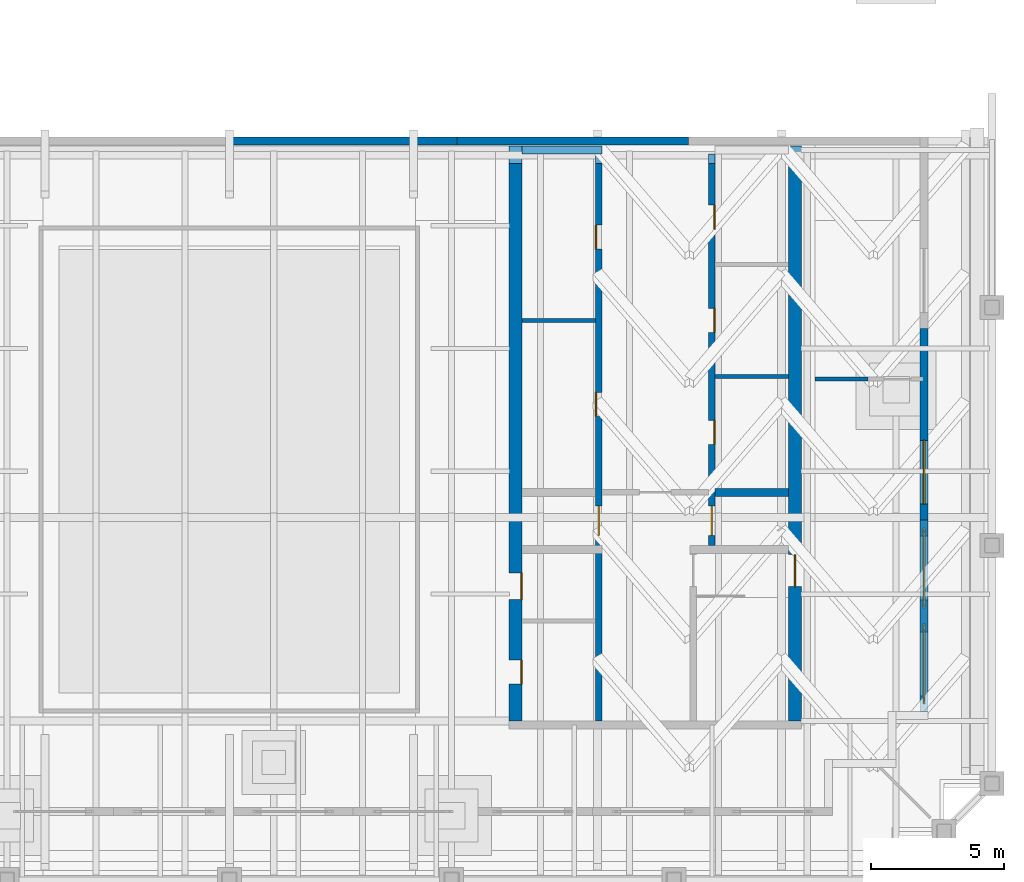
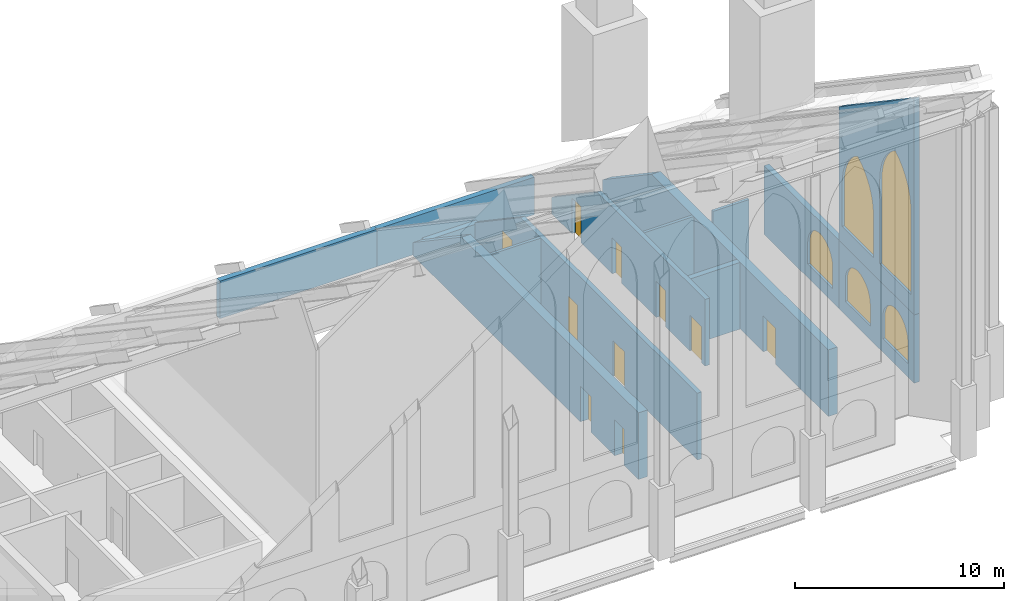
# One storey, part 7 of 9: 14 walls, 10 doors, 5 windows, 15 openings.
"""IFC4 building model written with IfcOpenShell, lengths in metres."""

from ifc_helpers import new_model, si_unit, direction, frame, frame_2d, origin, place, context, subcontext, project, spatial, polyline, rectangle, outline, extrude, material, layer, layer_set, type_object, element, fill, save


model = new_model("IFC4")

# Units and contexts
model_context = context("Model", 3, precision=1e-05, world=origin(), true_north=direction((0.0, 1.0)))
body_context = subcontext(model_context, "Body", "Model", "MODEL_VIEW")
ifc_project = project(units=[si_unit("LENGTHUNIT", "METRE"), si_unit("AREAUNIT", "SQUARE_METRE"), si_unit("VOLUMEUNIT", "CUBIC_METRE"), si_unit("PLANEANGLEUNIT", "RADIAN"), si_unit("MASSUNIT", "GRAM", prefix="KILO")], contexts=[model_context])

# Site, building, storey
site_placement = place(None, origin())
site = spatial("IfcSite", under=ifc_project, at=site_placement, CompositionType="ELEMENT")
building_placement = place(site_placement, origin())
building = spatial("IfcBuilding", under=site, at=building_placement, Name="Ogive Exchange Tower", CompositionType="ELEMENT")
storey_placement = place(building_placement, frame((0.0, 0.0, 394.199951171875)))
storey = spatial("IfcBuildingStorey", under=building, at=storey_placement, Name="C07", CompositionType="ELEMENT", Elevation=394.199951171875)

# Walls
ifc_material_1 = material(Name="Gypsum board partition")
ifc_layer_1 = layer(ifc_material_1, 0.14990234375)
ifc_layer_set_1 = layer_set([ifc_layer_1], Name="Core room partition 150 gypsum")
wall_type_1 = type_object("IfcWallType", Name="Core room partition 150 gypsum", PredefinedType="PARTITIONING", material=ifc_layer_set_1)
for number, where, z_axis, x_axis, name in (
    (1, (18.25, 10.5, 0.0), (0.0, 0.0, 1.0), (1.0, 0.0, 0.0), "E row A bay partition 1-1"),
    (2, (11.0, 12.60009765625, 0.0), (0.0, 0.0, 1.0), (1.0, 0.0, 0.0), "E row B bay partition 1-1"),
):
    element("IfcWall", number, at=place(storey_placement, frame(where, z_axis=z_axis, x_axis=x_axis)), inside=storey, type_object=wall_type_1, Name=name, PredefinedType="PARTITIONING", context=body_context, shape_type="SweptSolid", body=[
        extrude(rectangle(XDim=2.75, YDim=0.14990234375, at=frame_2d((1.375, 0.0))), origin(), (0.0, 0.0, 1.0), 3.900146484375),
    ])
ifc_layer_2 = layer(ifc_material_1, 0.300048828125)
ifc_layer_set_2 = layer_set([ifc_layer_2], Name="Core room partition 300 gypsum")
wall_type_2 = type_object("IfcWallType", Name="Core room partition 300 gypsum", PredefinedType="PARTITIONING", material=ifc_layer_set_2)
wall_1_placement = place(storey_placement, frame((11.0, 19.0, 0.0), z_axis=(0.0, 0.0, 1.0), x_axis=(1.0, 0.0, 0.0)))
element("IfcWall", 3, at=wall_1_placement, inside=storey, type_object=wall_type_2, Name="E row B room end wall 7", PredefinedType="PARTITIONING", context=body_context, shape_type="SweptSolid", body=[
    extrude(outline(polyline([(0.0, 0.0), (3.0, 0.0), (3.0, 0.857666015625), (0.0, 0.857666015625), (0.0, 0.0)])), frame((0.0, 0.14990234375, 0.0), z_axis=(0.0, -1.0, 0.0), x_axis=(1.0, 0.0, 0.0)), (0.0, 0.0, 1.0), 0.300048828125),
])
ifc_material_2 = material(Name="Fire partition EI 60 150")
ifc_layer_3 = layer(ifc_material_2, 0.14990234375)
ifc_layer_set_3 = layer_set([ifc_layer_3], Name="Fire partition EI 60 150")
wall_type_3 = type_object("IfcWallType", Name="Fire partition EI 60 150", PredefinedType="PARTITIONING", material=ifc_layer_set_3)
wall_2_placement = place(storey_placement, frame((22.0, 10.39990234375, 0.0), z_axis=(0.0, 0.0, 1.0), x_axis=(1.0, 0.0, 0.0)))
element("IfcWall", 4, at=wall_2_placement, inside=storey, type_object=wall_type_3, Name="C07-PWL-003", PredefinedType="PARTITIONING", context=body_context, shape_type="SweptSolid", body=[
    extrude(rectangle(XDim=2.0, YDim=0.14990234375, at=frame_2d((1.0, 0.0))), origin(), (0.0, 0.0, 1.0), 3.900146484375),
])

# Wall, openings, doors
ifc_material_3 = material(Name="Concrete C70/85", Category="concrete")
ifc_layer_4 = layer(ifc_material_3, 0.25)
ifc_layer_set_4 = layer_set([ifc_layer_4], Name="RC core wall 250 C70/85")
wall_type_4 = type_object("IfcWallType", Name="RC core wall 250 C70/85", PredefinedType="SHEAR", material=ifc_layer_set_4)
wall_3_placement = place(storey_placement, frame((18.125, 4.14990234375, 0.0), z_axis=(0.0, 0.0, 1.0), x_axis=(0.0, 1.0, 0.0)))
wall_3 = element("IfcWall", 5, at=wall_3_placement, inside=storey, type_object=wall_type_4, Name="E row A front wall", PredefinedType="SHEAR", context=body_context, shape_type="SweptSolid", body=[
    extrude(outline(polyline([(0.0, 0.0), (14.7001953125, 0.0), (14.699951171875, 0.958740234375), (10.33935546875, 3.900146484375), (0.0, 3.900146484375), (0.0, 0.0)])), frame((0.0, 0.125, 0.0), z_axis=(0.0, -1.0, 0.0), x_axis=(1.0, 0.0, 0.0)), (0.0, 0.0, 1.0), 0.25),
])
opening_1_placement = place(wall_3_placement, frame((3.79638671875, 0.0, 0.0)))
opening_1 = element("IfcOpeningElement", 6, at=opening_1_placement, cuts=wall_3, Name="Opening C07-C13", PredefinedType="OPENING", context=body_context, shape_type="SweptSolid", body=[
    extrude(rectangle(XDim=0.89990234375, YDim=2.10009765625, at=frame_2d((0.449951171875, 1.050048828125))), frame((0.0, 0.135009765625, 0.0), z_axis=(0.0, -1.0, 0.0), x_axis=(1.0, 0.0, 0.0)), (0.0, 0.0, 1.0), 0.27001953125),
])
opening_2_placement = place(wall_3_placement, frame((8.0, 0.0, 0.0)))
opening_2 = element("IfcOpeningElement", 7, at=opening_2_placement, cuts=wall_3, Name="Opening C07-C14", PredefinedType="OPENING", context=body_context, shape_type="SweptSolid", body=[
    extrude(rectangle(XDim=0.89990234375, YDim=2.10009765625, at=frame_2d((0.449951171875, 1.050048828125))), frame((0.0, 0.135009765625, 0.0), z_axis=(0.0, -1.0, 0.0), x_axis=(1.0, 0.0, 0.0)), (0.0, 0.0, 1.0), 0.27001953125),
])
opening_3_placement = place(wall_3_placement, frame((11.875, 0.0, 0.0)))
opening_3 = element("IfcOpeningElement", 8, at=opening_3_placement, cuts=wall_3, Name="Opening C07-C15", PredefinedType="OPENING", context=body_context, shape_type="SweptSolid", body=[
    extrude(rectangle(XDim=0.89990234375, YDim=2.10009765625, at=frame_2d((0.449951171875, 1.050048828125))), frame((0.0, 0.135009765625, 0.0), z_axis=(0.0, -1.0, 0.0), x_axis=(1.0, 0.0, 0.0)), (0.0, 0.0, 1.0), 0.27001953125),
])
opening_4_placement = place(wall_3_placement, frame((0.371337890625, 0.0, 0.0)))
opening_4 = element("IfcOpeningElement", 9, at=opening_4_placement, cuts=wall_3, Name="Opening C07-C16", PredefinedType="OPENING", context=body_context, shape_type="SweptSolid", body=[
    extrude(rectangle(XDim=1.10009765625, YDim=2.10009765625, at=frame_2d((0.550048828125, 1.050048828125))), frame((0.0, 0.135009765625, 0.0), z_axis=(0.0, -1.0, 0.0), x_axis=(1.0, 0.0, 0.0)), (0.0, 0.0, 1.0), 0.27001953125),
])
ifc_material_4 = material(Name="Timber fire door", Category="wood")
door_type_1 = type_object("IfcDoorType", Name="Core room door FD30S 900 x 2100", OperationType="NOTDEFINED", PredefinedType="DOOR", material=ifc_material_4)
door_1_placement = place(opening_1_placement, frame((0.89990234375, -0.2001953125, 0.0), z_axis=(0.0, 0.0, 1.0), x_axis=(-1.0, 0.0, 0.0)))
door_1 = element("IfcDoor", 10, at=door_1_placement, inside=storey, type_object=door_type_1, Name="Core room door", ObjectType="CD6", OperationType="SINGLE_SWING_RIGHT", OverallHeight=2.10009765625, OverallWidth=0.89990234375, PredefinedType="DOOR", context=body_context, shape_type="SweptSolid", body=[
    extrude(rectangle(XDim=0.89990234375, YDim=2.10009765625, at=frame_2d((0.449951171875, 1.050048828125))), frame((0.0, -0.0751953125, 0.0), z_axis=(0.0, -1.0, 0.0), x_axis=(1.0, 0.0, 0.0)), (0.0, 0.0, 1.0), 0.050048828125),
])
fill(opening_1, door_1)
door_2_placement = place(opening_3_placement, frame((0.89990234375, -0.2001953125, 0.0), z_axis=(0.0, 0.0, 1.0), x_axis=(-1.0, 0.0, 0.0)))
door_2 = element("IfcDoor", 11, at=door_2_placement, inside=storey, type_object=door_type_1, Name="Core room door", ObjectType="CD6", OperationType="SINGLE_SWING_RIGHT", OverallHeight=2.10009765625, OverallWidth=0.89990234375, PredefinedType="DOOR", context=body_context, shape_type="SweptSolid", body=[
    extrude(rectangle(XDim=0.89990234375, YDim=2.10009765625, at=frame_2d((0.449951171875, 1.050048828125))), frame((0.0, -0.0751953125, 0.0), z_axis=(0.0, -1.0, 0.0), x_axis=(1.0, 0.0, 0.0)), (0.0, 0.0, 1.0), 0.050048828125),
])
fill(opening_3, door_2)
ifc_material_5 = material(Name="Stainless steel", Category="steel")
door_type_2 = type_object("IfcDoorType", Name="Lift landing door FD90 1100 x 2100", OperationType="SLIDING_TO_LEFT", PredefinedType="DOOR", material=ifc_material_5)
door_3_placement = place(opening_4_placement, origin())
door_3 = element("IfcDoor", 12, at=door_3_placement, inside=storey, type_object=door_type_2, Name="Lift landing door FF2", ObjectType="LD", OperationType="SLIDING_TO_LEFT", OverallHeight=2.10009765625, OverallWidth=1.10009765625, PredefinedType="DOOR", context=body_context, shape_type="SweptSolid", body=[
    extrude(rectangle(XDim=1.10009765625, YDim=2.10009765625, at=frame_2d((0.550048828125, 1.050048828125))), frame((0.0, 0.02490234375, 0.0), z_axis=(0.0, -1.0, 0.0), x_axis=(1.0, 0.0, 0.0)), (0.0, 0.0, 1.0), 0.050048828125),
])
fill(opening_4, door_3)
ifc_material_6 = material(Name="Steel fire door", Category="steel")
door_type_3 = type_object("IfcDoorType", Name="Riser door FD60 900 x 2100", OperationType="NOTDEFINED", PredefinedType="DOOR", material=ifc_material_6)
door_4_placement = place(opening_2_placement, frame((0.89990234375, -0.2001953125, 0.0), z_axis=(0.0, 0.0, 1.0), x_axis=(-1.0, 0.0, 0.0)))
door_4 = element("IfcDoor", 13, at=door_4_placement, inside=storey, type_object=door_type_3, Name="Riser door", ObjectType="CD2", OperationType="SINGLE_SWING_LEFT", OverallHeight=2.10009765625, OverallWidth=0.89990234375, PredefinedType="DOOR", context=body_context, shape_type="SweptSolid", body=[
    extrude(rectangle(XDim=0.89990234375, YDim=2.10009765625, at=frame_2d((0.449951171875, 1.050048828125))), frame((0.0, -0.0751953125, 0.0), z_axis=(0.0, -1.0, 0.0), x_axis=(1.0, 0.0, 0.0)), (0.0, 0.0, 1.0), 0.050048828125),
])
fill(opening_2, door_4)

wall_4_placement = place(storey_placement, frame((13.875, -2.449951171875, 0.0), z_axis=(0.0, 0.0, 1.0), x_axis=(0.0, 1.0, 0.0)))
wall_4 = element("IfcWall", 14, at=wall_4_placement, inside=storey, type_object=wall_type_4, Name="E row B front wall", PredefinedType="SHEAR", context=body_context, shape_type="SweptSolid", body=[
    extrude(outline(polyline([(0.0, 0.0), (21.300048828125, 0.0), (21.300048828125, 0.958740234375), (16.939453125, 3.900146484375), (0.0, 3.900146484375), (0.0, 0.0)])), frame((0.0, 0.125, 0.0), z_axis=(0.0, -1.0, 0.0), x_axis=(1.0, 0.0, 0.0)), (0.0, 0.0, 1.0), 0.25),
])
opening_5_placement = place(wall_4_placement, frame((11.4462890625, 0.0, 0.0)))
opening_5 = element("IfcOpeningElement", 15, at=opening_5_placement, cuts=wall_4, Name="Opening C07-C17", PredefinedType="OPENING", context=body_context, shape_type="SweptSolid", body=[
    extrude(rectangle(XDim=0.89990234375, YDim=2.10009765625, at=frame_2d((0.449951171875, 1.050048828125))), frame((0.0, 0.135009765625, 0.0), z_axis=(0.0, -1.0, 0.0), x_axis=(1.0, 0.0, 0.0)), (0.0, 0.0, 1.0), 0.27001953125),
])
opening_6_placement = place(wall_4_placement, frame((17.72509765625, 0.0, 0.0)))
opening_6 = element("IfcOpeningElement", 16, at=opening_6_placement, cuts=wall_4, Name="Opening C07-C18", PredefinedType="OPENING", context=body_context, shape_type="SweptSolid", body=[
    extrude(rectangle(XDim=0.89990234375, YDim=2.10009765625, at=frame_2d((0.449951171875, 1.050048828125))), frame((0.0, 0.135009765625, 0.0), z_axis=(0.0, -1.0, 0.0), x_axis=(1.0, 0.0, 0.0)), (0.0, 0.0, 1.0), 0.27001953125),
])
opening_7_placement = place(wall_4_placement, frame((6.971435546875, 0.0, 0.0)))
opening_7 = element("IfcOpeningElement", 17, at=opening_7_placement, cuts=wall_4, Name="Opening C07-C19", PredefinedType="OPENING", context=body_context, shape_type="SweptSolid", body=[
    extrude(rectangle(XDim=1.10009765625, YDim=2.10009765625, at=frame_2d((0.550048828125, 1.050048828125))), frame((0.0, 0.135009765625, 0.0), z_axis=(0.0, -1.0, 0.0), x_axis=(1.0, 0.0, 0.0)), (0.0, 0.0, 1.0), 0.27001953125),
])
door_5_placement = place(opening_7_placement, origin())
door_5 = element("IfcDoor", 18, at=door_5_placement, inside=storey, type_object=door_type_2, Name="Lift landing door SV2", ObjectType="LD", OperationType="SLIDING_TO_LEFT", OverallHeight=2.10009765625, OverallWidth=1.10009765625, PredefinedType="DOOR", context=body_context, shape_type="SweptSolid", body=[
    extrude(rectangle(XDim=1.10009765625, YDim=2.10009765625, at=frame_2d((0.550048828125, 1.050048828125))), frame((0.0, 0.02490234375, 0.0), z_axis=(0.0, -1.0, 0.0), x_axis=(1.0, 0.0, 0.0)), (0.0, 0.0, 1.0), 0.050048828125),
])
fill(opening_7, door_5)
door_6_placement = place(opening_5_placement, origin())
door_6 = element("IfcDoor", 19, at=door_6_placement, inside=storey, type_object=door_type_3, Name="Riser door", ObjectType="CD2", OperationType="SINGLE_SWING_RIGHT", OverallHeight=2.10009765625, OverallWidth=0.89990234375, PredefinedType="DOOR", context=body_context, shape_type="SweptSolid", body=[
    extrude(rectangle(XDim=0.89990234375, YDim=2.10009765625, at=frame_2d((0.449951171875, 1.050048828125))), frame((0.0, 0.125, 0.0), z_axis=(0.0, -1.0, 0.0), x_axis=(1.0, 0.0, 0.0)), (0.0, 0.0, 1.0), 0.050048828125),
])
fill(opening_5, door_6)
door_7_placement = place(opening_6_placement, origin())
door_7 = element("IfcDoor", 20, at=door_7_placement, inside=storey, type_object=door_type_3, Name="Riser door", ObjectType="CD2", OperationType="SINGLE_SWING_RIGHT", OverallHeight=2.10009765625, OverallWidth=0.89990234375, PredefinedType="DOOR", context=body_context, shape_type="SweptSolid", body=[
    extrude(rectangle(XDim=0.89990234375, YDim=2.10009765625, at=frame_2d((0.449951171875, 1.050048828125))), frame((0.0, 0.125, 0.0), z_axis=(0.0, -1.0, 0.0), x_axis=(1.0, 0.0, 0.0)), (0.0, 0.0, 1.0), 0.050048828125),
])
fill(opening_6, door_7)

# Wall
ifc_layer_5 = layer(ifc_material_3, 0.300048828125)
ifc_layer_set_5 = layer_set([ifc_layer_5], Name="RC core wall 300 C70/85")
wall_type_5 = type_object("IfcWallType", Name="RC core wall 300 C70/85", PredefinedType="SHEAR", material=ifc_layer_set_5)
wall_5_placement = place(storey_placement, frame((18.25, 6.142822265625, 0.0), z_axis=(0.0, 0.0, 1.0), x_axis=(1.0, 0.0, 0.0)))
element("IfcWall", 21, at=wall_5_placement, inside=storey, type_object=wall_type_5, Name="E row A divider 1", PredefinedType="SHEAR", context=body_context, shape_type="SweptSolid", body=[
    extrude(rectangle(XDim=2.75, YDim=0.300048828125, at=frame_2d((1.375, 0.0))), origin(), (0.0, 0.0, 1.0), 3.900146484375),
])

# Wall, opening, door
ifc_layer_6 = layer(ifc_material_3, 0.5)
ifc_layer_set_6 = layer_set([ifc_layer_6], Name="RC core wall 500 C70/85")
wall_type_6 = type_object("IfcWallType", Name="RC core wall 500 C70/85", PredefinedType="SHEAR", material=ifc_layer_set_6)
wall_6_placement = place(storey_placement, frame((21.25, -2.449951171875, 0.0), z_axis=(0.0, 0.0, 1.0), x_axis=(0.0, 1.0, 0.0)))
wall_6 = element("IfcWall", 22, at=wall_6_placement, inside=storey, type_object=wall_type_6, Name="E outer wall", PredefinedType="SHEAR", context=body_context, shape_type="SweptSolid", body=[
    extrude(outline(polyline([(0.0, 0.0), (21.60400390625, 0.0), (21.60400390625, 0.753662109375), (16.939453125, 3.900146484375), (0.0, 3.900146484375), (0.0, 0.0)])), frame((0.0, 0.25, 0.0), z_axis=(0.0, -1.0, 0.0), x_axis=(1.0, 0.0, 0.0)), (0.0, 0.0, 1.0), 0.5),
])
opening_8_placement = place(wall_6_placement, frame((5.050048828125, 0.0, 0.0)))
opening_8 = element("IfcOpeningElement", 23, at=opening_8_placement, cuts=wall_6, Name="Opening C07-C22", PredefinedType="OPENING", context=body_context, shape_type="SweptSolid", body=[
    extrude(rectangle(XDim=1.199951171875, YDim=2.10009765625, at=frame_2d((0.60009765625, 1.050048828125))), frame((0.0, 0.260009765625, 0.0), z_axis=(0.0, -1.0, 0.0), x_axis=(1.0, 0.0, 0.0)), (0.0, 0.0, 1.0), 0.52001953125),
])
door_type_4 = type_object("IfcDoorType", Name="Stair door FD90 1200 x 2100", OperationType="NOTDEFINED", PredefinedType="DOOR", material=ifc_material_6)
door_8_placement = place(opening_8_placement, frame((1.199951171875, 0.0, 0.0), z_axis=(0.0, 0.0, 1.0), x_axis=(-1.0, 0.0, 0.0)))
door_8 = element("IfcDoor", 24, at=door_8_placement, inside=storey, type_object=door_type_4, Name="Stair door", ObjectType="CD5", OperationType="SINGLE_SWING_LEFT", OverallHeight=2.10009765625, OverallWidth=1.199951171875, PredefinedType="DOOR", context=body_context, shape_type="SweptSolid", body=[
    extrude(rectangle(XDim=1.199951171875, YDim=2.10009765625, at=frame_2d((0.60009765625, 1.050048828125))), frame((0.0, 0.02490234375, 0.0), z_axis=(0.0, -1.0, 0.0), x_axis=(1.0, 0.0, 0.0)), (0.0, 0.0, 1.0), 0.050048828125),
])
fill(opening_8, door_8)

# Wall, openings, doors
wall_7_placement = place(storey_placement, frame((10.75, -2.449951171875, 0.0), z_axis=(0.0, 0.0, 1.0), x_axis=(0.0, 1.0, 0.0)))
wall_7 = element("IfcWall", 25, at=wall_7_placement, inside=storey, type_object=wall_type_6, Name="E inner wall", PredefinedType="SHEAR", context=body_context, shape_type="SweptSolid", body=[
    extrude(outline(polyline([(0.0, 0.0), (21.60400390625, 0.0), (21.60400390625, 0.753662109375), (16.939453125, 3.900146484375), (0.0, 3.900146484375), (0.0, 0.0)])), frame((0.0, 0.25, 0.0), z_axis=(0.0, -1.0, 0.0), x_axis=(1.0, 0.0, 0.0)), (0.0, 0.0, 1.0), 0.5),
])
opening_9_placement = place(wall_7_placement, frame((1.387451171875, 0.0, 0.0)))
opening_9 = element("IfcOpeningElement", 26, at=opening_9_placement, cuts=wall_7, Name="Opening C07-C23", PredefinedType="OPENING", context=body_context, shape_type="SweptSolid", body=[
    extrude(rectangle(XDim=0.89990234375, YDim=2.10009765625, at=frame_2d((0.449951171875, 1.050048828125))), frame((0.0, 0.260009765625, 0.0), z_axis=(0.0, -1.0, 0.0), x_axis=(1.0, 0.0, 0.0)), (0.0, 0.0, 1.0), 0.52001953125),
])
opening_10_placement = place(wall_7_placement, frame((4.5625, 0.0, 0.0)))
opening_10 = element("IfcOpeningElement", 27, at=opening_10_placement, cuts=wall_7, Name="Opening C07-C24", PredefinedType="OPENING", context=body_context, shape_type="SweptSolid", body=[
    extrude(rectangle(XDim=1.0, YDim=2.10009765625, at=frame_2d((0.5, 1.050048828125))), frame((0.0, 0.260009765625, 0.0), z_axis=(0.0, -1.0, 0.0), x_axis=(1.0, 0.0, 0.0)), (0.0, 0.0, 1.0), 0.52001953125),
])
door_type_5 = type_object("IfcDoorType", Name="Accessible WC door FD30S 1000 x 2100", OperationType="NOTDEFINED", PredefinedType="DOOR", material=ifc_material_4)
door_9_placement = place(opening_10_placement, origin())
door_9 = element("IfcDoor", 28, at=door_9_placement, inside=storey, type_object=door_type_5, Name="Accessible WC door", ObjectType="CD7", OperationType="SINGLE_SWING_LEFT", OverallHeight=2.10009765625, OverallWidth=1.0, PredefinedType="DOOR", context=body_context, shape_type="SweptSolid", body=[
    extrude(rectangle(XDim=1.0, YDim=2.10009765625, at=frame_2d((0.5, 1.050048828125))), frame((0.0, -0.2001953125, 0.0), z_axis=(0.0, -1.0, 0.0), x_axis=(1.0, 0.0, 0.0)), (0.0, 0.0, 1.0), 0.050048828125),
])
fill(opening_10, door_9)
door_10_placement = place(opening_9_placement, origin())
door_10 = element("IfcDoor", 29, at=door_10_placement, inside=storey, type_object=door_type_1, Name="Core room door", ObjectType="CD6", OperationType="SINGLE_SWING_RIGHT", OverallHeight=2.10009765625, OverallWidth=0.89990234375, PredefinedType="DOOR", context=body_context, shape_type="SweptSolid", body=[
    extrude(rectangle(XDim=0.89990234375, YDim=2.10009765625, at=frame_2d((0.449951171875, 1.050048828125))), frame((0.0, -0.2001953125, 0.0), z_axis=(0.0, -1.0, 0.0), x_axis=(1.0, 0.0, 0.0)), (0.0, 0.0, 1.0), 0.050048828125),
])
fill(opening_9, door_10)

# Wall, openings, windows
ifc_material_7 = material(Name="Precast concrete C40/50", Category="concrete")
ifc_layer_7 = layer(ifc_material_7, 0.300048828125)
ifc_layer_set_7 = layer_set([ifc_layer_7], Name="Zinc-clad crown wall 300")
wall_type_7 = type_object("IfcWallType", Name="Zinc-clad crown wall 300", PredefinedType="STANDARD", material=ifc_layer_set_7)
wall_8_placement = place(storey_placement, frame((26.10009765625, -2.10009765625, 0.0), z_axis=(0.0, 0.0, 1.0), x_axis=(0.0, 1.0, 0.0)))
wall_8 = element("IfcWall", 30, at=wall_8_placement, inside=storey, type_object=wall_type_7, Name="Crown wall 13", PredefinedType="STANDARD", context=body_context, shape_type="SweptSolid", body=[
    extrude(rectangle(XDim=7.197998046875, YDim=0.300048828125, at=frame_2d((3.59912109375, 0.0))), origin(), (0.0, 0.0, 1.0), 4.0),
])
opening_11_placement = place(wall_8_placement, frame((0.599609375, 0.0, 0.800048828125)))
opening_11 = element("IfcOpeningElement", 31, at=opening_11_placement, cuts=wall_8, Name="Opening WC25", PredefinedType="OPENING", context=body_context, shape_type="SweptSolid", body=[
    extrude(outline(polyline([(0.0, 0.0), (2.39990234375, 0.0), (2.39990234375, 1.25), (2.377197265625, 1.48779296875), (2.3095703125, 1.717041015625), (2.19970703125, 1.928955078125), (2.05126953125, 2.116455078125), (1.8701171875, 2.272216796875), (1.662841796875, 2.390625), (1.4365234375, 2.467529296875), (1.199951171875, 2.5), (0.96337890625, 2.467529296875), (0.737060546875, 2.390625), (0.52978515625, 2.272216796875), (0.3486328125, 2.116455078125), (0.2001953125, 1.928955078125), (0.09033203125, 1.717041015625), (0.022705078125, 1.48779296875), (0.0, 1.25), (0.0, 0.0)])), frame((0.0, 0.159912109375, 0.0), z_axis=(0.0, -1.0, 0.0), x_axis=(1.0, 0.0, 0.0)), (0.0, 0.0, 1.0), 0.320068359375),
])
opening_12_placement = place(wall_8_placement, frame((4.198486328125, 0.0, 0.800048828125)))
opening_12 = element("IfcOpeningElement", 32, at=opening_12_placement, cuts=wall_8, Name="Opening WC25", PredefinedType="OPENING", context=body_context, shape_type="SweptSolid", body=[
    extrude(outline(polyline([(0.0, 0.0), (2.39990234375, 0.0), (2.39990234375, 1.25), (2.377197265625, 1.48779296875), (2.3095703125, 1.717041015625), (2.19970703125, 1.928955078125), (2.05126953125, 2.116455078125), (1.8701171875, 2.272216796875), (1.662841796875, 2.390625), (1.4365234375, 2.467529296875), (1.199951171875, 2.5), (0.96337890625, 2.467529296875), (0.737060546875, 2.390625), (0.52978515625, 2.272216796875), (0.3486328125, 2.116455078125), (0.2001953125, 1.928955078125), (0.09033203125, 1.717041015625), (0.022705078125, 1.48779296875), (0.0, 1.25), (0.0, 0.0)])), frame((0.0, 0.159912109375, 0.0), z_axis=(0.0, -1.0, 0.0), x_axis=(1.0, 0.0, 0.0)), (0.0, 0.0, 1.0), 0.320068359375),
])
ifc_material_8 = material(Name="Clear glass in bronze frame", Category="glass")
window_type_1 = type_object("IfcWindowType", Name="Crown lancet window 2400 x 2500", PartitioningType="DOUBLE_PANEL_VERTICAL", PredefinedType="WINDOW", material=ifc_material_8)
window_1_placement = place(opening_11_placement, origin())
window_1 = element("IfcWindow", 33, at=window_1_placement, inside=storey, type_object=window_type_1, Name="Crown lancet 13.1", OverallHeight=2.5, OverallWidth=2.39990234375, PartitioningType="DOUBLE_PANEL_VERTICAL", PredefinedType="WINDOW", context=body_context, shape_type="SweptSolid", body=[
    extrude(outline(polyline([(0.0, 0.0), (2.39990234375, 0.0), (2.39990234375, 1.25), (2.377197265625, 1.48779296875), (2.3095703125, 1.717041015625), (2.19970703125, 1.928955078125), (2.05126953125, 2.116455078125), (1.8701171875, 2.272216796875), (1.662841796875, 2.390625), (1.4365234375, 2.467529296875), (1.199951171875, 2.5), (0.96337890625, 2.467529296875), (0.737060546875, 2.390625), (0.52978515625, 2.272216796875), (0.3486328125, 2.116455078125), (0.2001953125, 1.928955078125), (0.09033203125, 1.717041015625), (0.022705078125, 1.48779296875), (0.0, 1.25), (0.0, 0.0)])), frame((0.0, 0.030029296875, 0.0), z_axis=(0.0, -1.0, 0.0), x_axis=(1.0, 0.0, 0.0)), (0.0, 0.0, 1.0), 0.06005859375),
])
fill(opening_11, window_1)
window_2_placement = place(opening_12_placement, origin())
window_2 = element("IfcWindow", 34, at=window_2_placement, inside=storey, type_object=window_type_1, Name="Crown lancet 13.2", OverallHeight=2.5, OverallWidth=2.39990234375, PartitioningType="DOUBLE_PANEL_VERTICAL", PredefinedType="WINDOW", context=body_context, shape_type="SweptSolid", body=[
    extrude(outline(polyline([(0.0, 0.0), (2.39990234375, 0.0), (2.39990234375, 1.25), (2.377197265625, 1.48779296875), (2.3095703125, 1.717041015625), (2.19970703125, 1.928955078125), (2.05126953125, 2.116455078125), (1.8701171875, 2.272216796875), (1.662841796875, 2.390625), (1.4365234375, 2.467529296875), (1.199951171875, 2.5), (0.96337890625, 2.467529296875), (0.737060546875, 2.390625), (0.52978515625, 2.272216796875), (0.3486328125, 2.116455078125), (0.2001953125, 1.928955078125), (0.09033203125, 1.717041015625), (0.022705078125, 1.48779296875), (0.0, 1.25), (0.0, 0.0)])), frame((0.0, 0.030029296875, 0.0), z_axis=(0.0, -1.0, 0.0), x_axis=(1.0, 0.0, 0.0)), (0.0, 0.0, 1.0), 0.06005859375),
])
fill(opening_12, window_2)

wall_9_placement = place(storey_placement, frame((26.10009765625, -2.10009765625, 4.0), z_axis=(0.0, 0.0, 1.0), x_axis=(0.0, 1.0, 0.0)))
wall_9 = element("IfcWall", 35, at=wall_9_placement, inside=storey, type_object=wall_type_7, Name="Crown clerestory wall 13", PredefinedType="STANDARD", context=body_context, shape_type="SweptSolid", body=[
    extrude(outline(polyline([(0.0, 0.0), (7.197998046875, 0.0), (7.197998046875, 7.808837890625), (0.0, 12.6640625), (0.0, 0.0)])), frame((0.0, 0.14990234375, 0.0), z_axis=(0.0, -1.0, 0.0), x_axis=(1.0, 0.0, 0.0)), (0.0, 0.0, 1.0), 0.300048828125),
])
opening_13_placement = place(wall_9_placement, frame((0.299560546875, 0.0, 1.0)))
opening_13 = element("IfcOpeningElement", 36, at=opening_13_placement, cuts=wall_9, Name="Opening WC75", PredefinedType="OPENING", context=body_context, shape_type="SweptSolid", body=[
    extrude(outline(polyline([(0.0, 0.0), (3.0, 0.0), (3.0, 4.902099609375), (2.974365234375, 5.293701171875), (2.897705078125, 5.678466796875), (2.771728515625, 6.050048828125), (2.59814453125, 6.402099609375), (2.380126953125, 6.728271484375), (2.121337890625, 7.023193359375), (1.826171875, 7.281982421875), (1.5, 7.5), (1.173828125, 7.281982421875), (0.878662109375, 7.023193359375), (0.619873046875, 6.728271484375), (0.40185546875, 6.402099609375), (0.228271484375, 6.050048828125), (0.102294921875, 5.678466796875), (0.025634765625, 5.293701171875), (0.0, 4.902099609375), (0.0, 0.0)])), frame((0.0, 0.159912109375, 0.0), z_axis=(0.0, -1.0, 0.0), x_axis=(1.0, 0.0, 0.0)), (0.0, 0.0, 1.0), 0.320068359375),
])
opening_14_placement = place(wall_9_placement, frame((3.8984375, 0.0, 1.0)))
opening_14 = element("IfcOpeningElement", 37, at=opening_14_placement, cuts=wall_9, Name="Opening WC50", PredefinedType="OPENING", context=body_context, shape_type="SweptSolid", body=[
    extrude(outline(polyline([(0.0, 0.0), (3.0, 0.0), (3.0, 2.5), (2.97412109375, 2.881591796875), (2.897216796875, 3.25634765625), (2.7705078125, 3.6171875), (2.59619140625, 3.957763671875), (2.377685546875, 4.271728515625), (2.118896484375, 4.553466796875), (1.82470703125, 4.797607421875), (1.5, 5.0), (1.17529296875, 4.797607421875), (0.881103515625, 4.553466796875), (0.622314453125, 4.271728515625), (0.40380859375, 3.957763671875), (0.2294921875, 3.6171875), (0.102783203125, 3.25634765625), (0.02587890625, 2.881591796875), (0.0, 2.5), (0.0, 0.0)])), frame((0.0, 0.159912109375, 0.0), z_axis=(0.0, -1.0, 0.0), x_axis=(1.0, 0.0, 0.0)), (0.0, 0.0, 1.0), 0.320068359375),
])
window_type_2 = type_object("IfcWindowType", Name="Crown lancet window 3000 x 5000", PartitioningType="DOUBLE_PANEL_VERTICAL", PredefinedType="WINDOW", material=ifc_material_8)
window_3_placement = place(opening_14_placement, origin())
window_3 = element("IfcWindow", 38, at=window_3_placement, inside=storey, type_object=window_type_2, Name="Crown lancet 13.2", OverallHeight=5.0, OverallWidth=3.0, PartitioningType="DOUBLE_PANEL_VERTICAL", PredefinedType="WINDOW", context=body_context, shape_type="SweptSolid", body=[
    extrude(outline(polyline([(0.0, 0.0), (3.0, 0.0), (3.0, 2.5), (2.97412109375, 2.881591796875), (2.897216796875, 3.25634765625), (2.7705078125, 3.6171875), (2.59619140625, 3.957763671875), (2.377685546875, 4.271728515625), (2.118896484375, 4.553466796875), (1.82470703125, 4.797607421875), (1.5, 5.0), (1.17529296875, 4.797607421875), (0.881103515625, 4.553466796875), (0.622314453125, 4.271728515625), (0.40380859375, 3.957763671875), (0.2294921875, 3.6171875), (0.102783203125, 3.25634765625), (0.02587890625, 2.881591796875), (0.0, 2.5), (0.0, 0.0)])), frame((0.0, 0.030029296875, 0.0), z_axis=(0.0, -1.0, 0.0), x_axis=(1.0, 0.0, 0.0)), (0.0, 0.0, 1.0), 0.06005859375),
])
fill(opening_14, window_3)
window_type_3 = type_object("IfcWindowType", Name="Crown lancet window 3000 x 7500", PartitioningType="DOUBLE_PANEL_VERTICAL", PredefinedType="WINDOW", material=ifc_material_8)
window_4_placement = place(opening_13_placement, origin())
window_4 = element("IfcWindow", 39, at=window_4_placement, inside=storey, type_object=window_type_3, Name="Crown lancet 13.1", OverallHeight=7.5, OverallWidth=3.0, PartitioningType="DOUBLE_PANEL_VERTICAL", PredefinedType="WINDOW", context=body_context, shape_type="SweptSolid", body=[
    extrude(outline(polyline([(0.0, 0.0), (3.0, 0.0), (3.0, 4.902099609375), (2.974365234375, 5.293701171875), (2.897705078125, 5.678466796875), (2.771728515625, 6.050048828125), (2.59814453125, 6.402099609375), (2.380126953125, 6.728271484375), (2.121337890625, 7.023193359375), (1.826171875, 7.281982421875), (1.5, 7.5), (1.173828125, 7.281982421875), (0.878662109375, 7.023193359375), (0.619873046875, 6.728271484375), (0.40185546875, 6.402099609375), (0.228271484375, 6.050048828125), (0.102294921875, 5.678466796875), (0.025634765625, 5.293701171875), (0.0, 4.902099609375), (0.0, 0.0)])), frame((0.0, 0.030029296875, 0.0), z_axis=(0.0, -1.0, 0.0), x_axis=(1.0, 0.0, 0.0)), (0.0, 0.0, 1.0), 0.06005859375),
])
fill(opening_13, window_4)

# Wall, opening, window
wall_10_placement = place(storey_placement, frame((26.10009765625, 5.097900390625, 0.0), z_axis=(0.0, 0.0, 1.0), x_axis=(0.0, 1.0, 0.0)))
wall_10 = element("IfcWall", 40, at=wall_10_placement, inside=storey, type_object=wall_type_7, Name="Crown wall 14", PredefinedType="STANDARD", context=body_context, shape_type="SweptSolid", body=[
    extrude(rectangle(XDim=7.1982421875, YDim=0.300048828125, at=frame_2d((3.59912109375, 0.0))), origin(), (0.0, 0.0, 1.0), 4.0),
])
opening_15_placement = place(wall_10_placement, frame((0.599609375, 0.0, 0.800048828125)))
opening_15 = element("IfcOpeningElement", 41, at=opening_15_placement, cuts=wall_10, Name="Opening WC25", PredefinedType="OPENING", context=body_context, shape_type="SweptSolid", body=[
    extrude(outline(polyline([(0.0, 0.0), (2.39990234375, 0.0), (2.39990234375, 1.25), (2.377197265625, 1.48779296875), (2.3095703125, 1.717041015625), (2.19970703125, 1.928955078125), (2.05126953125, 2.116455078125), (1.8701171875, 2.272216796875), (1.662841796875, 2.390625), (1.4365234375, 2.467529296875), (1.199951171875, 2.5), (0.96337890625, 2.467529296875), (0.737060546875, 2.390625), (0.52978515625, 2.272216796875), (0.3486328125, 2.116455078125), (0.2001953125, 1.928955078125), (0.09033203125, 1.717041015625), (0.022705078125, 1.48779296875), (0.0, 1.25), (0.0, 0.0)])), frame((0.0, 0.159912109375, 0.0), z_axis=(0.0, -1.0, 0.0), x_axis=(1.0, 0.0, 0.0)), (0.0, 0.0, 1.0), 0.320068359375),
])
window_5_placement = place(opening_15_placement, origin())
window_5 = element("IfcWindow", 42, at=window_5_placement, inside=storey, type_object=window_type_1, Name="Crown lancet 14.1", OverallHeight=2.5, OverallWidth=2.39990234375, PartitioningType="DOUBLE_PANEL_VERTICAL", PredefinedType="WINDOW", context=body_context, shape_type="SweptSolid", body=[
    extrude(outline(polyline([(0.0, 0.0), (2.39990234375, 0.0), (2.39990234375, 1.25), (2.377197265625, 1.48779296875), (2.3095703125, 1.717041015625), (2.19970703125, 1.928955078125), (2.05126953125, 2.116455078125), (1.8701171875, 2.272216796875), (1.662841796875, 2.390625), (1.4365234375, 2.467529296875), (1.199951171875, 2.5), (0.96337890625, 2.467529296875), (0.737060546875, 2.390625), (0.52978515625, 2.272216796875), (0.3486328125, 2.116455078125), (0.2001953125, 1.928955078125), (0.09033203125, 1.717041015625), (0.022705078125, 1.48779296875), (0.0, 1.25), (0.0, 0.0)])), frame((0.0, 0.030029296875, 0.0), z_axis=(0.0, -1.0, 0.0), x_axis=(1.0, 0.0, 0.0)), (0.0, 0.0, 1.0), 0.06005859375),
])
fill(opening_15, window_5)

# Walls
for number, where, z_axis, x_axis, name in (
    (43, (17.25, 19.343994140625, 0.0), (0.0, 0.0, 1.0), (-1.0, 0.0, 0.0), "Crown wall 17"),
    (44, (8.550048828125, 19.343994140625, 0.0), (0.0, 0.0, 1.0), (-1.0, 0.0, 0.0), "Crown wall 18"),
):
    element("IfcWall", number, at=place(storey_placement, frame(where, z_axis=z_axis, x_axis=x_axis)), inside=storey, type_object=wall_type_7, Name=name, PredefinedType="STANDARD", context=body_context, shape_type="SweptSolid", body=[
        extrude(rectangle(XDim=8.699951171875, YDim=0.300048828125, at=frame_2d((4.35009765625, 0.0))), origin(), (0.0, 0.0, 1.0), 2.19970703125),
    ])

save(model, "model.ifc")
